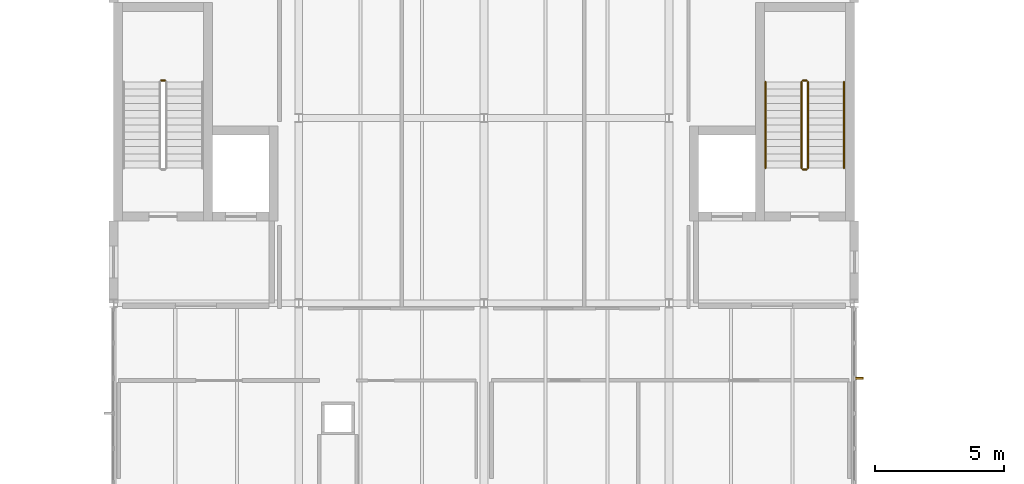
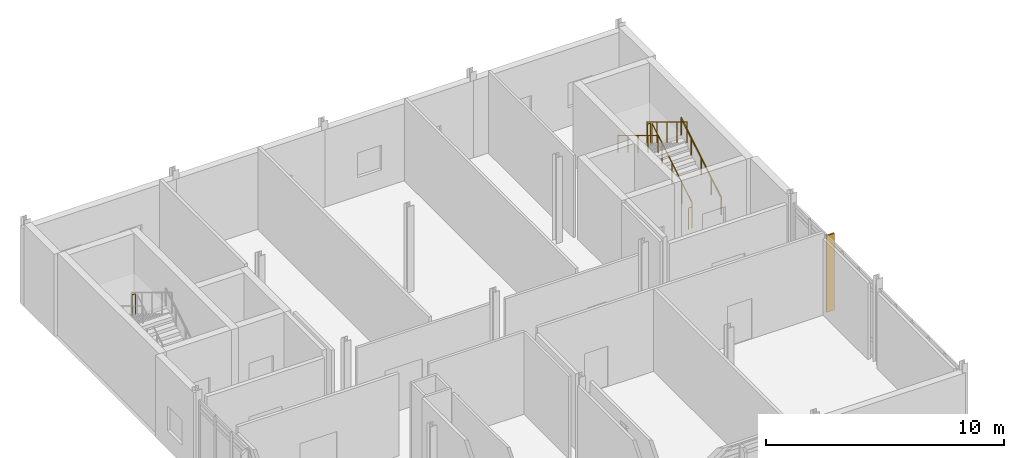
# One storey, part 43 of 43: 7 railings, 1 shading device.
"""IFC4 building model written with IfcOpenShell, lengths in metres."""

from ifc_helpers import new_model, si_unit, direction, frame, origin, origin_2d, place, context, subcontext, project, spatial, rectangle, circle, extrude, material, layer, layer_set, type_object, element, save


model = new_model("IFC4")

# Units and contexts
model_context = context("Model", 3, precision=1e-05, world=origin(), true_north=direction((0.0, 1.0)))
body_context = subcontext(model_context, "Body", "Model", "MODEL_VIEW")
ifc_project = project(units=[si_unit("LENGTHUNIT", "METRE"), si_unit("AREAUNIT", "SQUARE_METRE"), si_unit("VOLUMEUNIT", "CUBIC_METRE"), si_unit("PLANEANGLEUNIT", "RADIAN"), si_unit("MASSUNIT", "GRAM", prefix="KILO")], contexts=[model_context])

# Site, building, storey
site_placement = place(None, origin())
site = spatial("IfcSite", under=ifc_project, at=site_placement, CompositionType="ELEMENT")
building_placement = place(site_placement, origin())
building = spatial("IfcBuilding", under=site, at=building_placement, Name="Zarrinpeak Specialist Clinic", CompositionType="ELEMENT")
storey_placement = place(building_placement, frame((0.0, 0.0, 18.39990234375)))
storey = spatial("IfcBuildingStorey", under=building, at=storey_placement, Name="L04", CompositionType="ELEMENT", Elevation=18.39990234375)

# Railings
ifc_material_1 = material(Name="Laminated Safety Glass and Stainless Steel 316", Category="steel")
ifc_layer_1 = layer(ifc_material_1, 0.06005859375)
ifc_layer_set_1 = layer_set([ifc_layer_1], Name="Laminated Safety Glass and Stainless Steel 316")
railing_type_1 = type_object("IfcRailingType", Name="RL-GRD115", PredefinedType="GUARDRAIL", material=ifc_layer_set_1)
railing_1_placement = place(storey_placement, frame((38.0, 112.260009765625, 2.2001953125)))
element("IfcRailing", 1, at=railing_1_placement, inside=storey, type_object=railing_type_1, Name="L04 ST-11 stair guard 2", PredefinedType="GUARDRAIL", context=body_context, shape_type="SweptSolid", body=[
    extrude(circle(Radius=0.02392578125, at=origin_2d()), frame((0.0, 0.0, 1.076171875), z_axis=(-1.0, 0.0, 0.0), x_axis=(0.0, -1.0, 0.0)), (0.0, 0.0, 1.0), 0.14990234375),
    extrude(circle(Radius=0.02099609375, at=origin_2d()), origin(), (0.0, 0.0, 1.0), 1.052001953125),
    extrude(circle(Radius=0.02099609375, at=origin_2d()), frame((-0.14990234375, 0.0, 0.0)), (0.0, 0.0, 1.0), 1.052001953125),
])
railing_2_placement = place(storey_placement, frame((63.0, 108.85009765625, 0.16943359375)))
element("IfcRailing", 2, at=railing_2_placement, inside=storey, type_object=railing_type_1, Name="L04 ST-12 stair guard 1", PredefinedType="GUARDRAIL", context=body_context, shape_type="SweptSolid", body=[
    extrude(circle(Radius=0.02392578125, at=origin_2d()), frame((0.0, 0.0, 1.076171875), z_axis=(0.0, 0.855820338506, 0.51727318527), x_axis=(-1.0, 0.0, 0.0)), (0.0, 0.0, 1.0), 3.92578125),
    extrude(circle(Radius=0.02099609375, at=origin_2d()), origin(), (0.0, 0.0, 1.0), 1.052001953125),
    extrude(circle(Radius=0.02099609375, at=origin_2d()), frame((0.0, 0.83984375, 0.5078125)), (0.0, 0.0, 1.0), 1.052001953125),
    extrude(circle(Radius=0.02099609375, at=origin_2d()), frame((0.0, 1.679931640625, 1.015380859375)), (0.0, 0.0, 1.0), 1.052001953125),
    extrude(circle(Radius=0.02099609375, at=origin_2d()), frame((0.0, 2.52001953125, 1.52294921875)), (0.0, 0.0, 1.0), 1.052001953125),
    extrude(circle(Radius=0.02099609375, at=origin_2d()), frame((0.0, 3.35986328125, 2.03076171875)), (0.0, 0.0, 1.0), 1.052001953125),
])
railing_3_placement = place(storey_placement, frame((62.949951171875, 112.260009765625, 2.2001953125)))
element("IfcRailing", 3, at=railing_3_placement, inside=storey, type_object=railing_type_1, Name="L04 ST-12 stair guard 2", PredefinedType="GUARDRAIL", context=body_context, shape_type="SweptSolid", body=[
    extrude(circle(Radius=0.02392578125, at=origin_2d()), frame((0.0, 0.0, 1.076171875), z_axis=(-1.0, 0.0, 0.0), x_axis=(0.0, -1.0, 0.0)), (0.0, 0.0, 1.0), 0.14990234375),
    extrude(circle(Radius=0.02099609375, at=origin_2d()), origin(), (0.0, 0.0, 1.0), 1.052001953125),
    extrude(circle(Radius=0.02099609375, at=origin_2d()), frame((-0.14990234375, 0.0, 0.0)), (0.0, 0.0, 1.0), 1.052001953125),
])
railing_4_placement = place(storey_placement, frame((62.75, 112.2099609375, 2.369384765625)))
element("IfcRailing", 4, at=railing_4_placement, inside=storey, type_object=railing_type_1, Name="L04 ST-12 stair guard 3", PredefinedType="GUARDRAIL", context=body_context, shape_type="SweptSolid", body=[
    extrude(circle(Radius=0.02392578125, at=origin_2d()), frame((0.0, 0.0, 1.076171875), z_axis=(0.0, -0.855820338506, 0.51727318527), x_axis=(1.0, 0.0, 0.0)), (0.0, 0.0, 1.0), 3.92578125),
    extrude(circle(Radius=0.02099609375, at=origin_2d()), origin(), (0.0, 0.0, 1.0), 1.052001953125),
    extrude(circle(Radius=0.02099609375, at=origin_2d()), frame((0.0, -0.83984375, 0.5078125)), (0.0, 0.0, 1.0), 1.052001953125),
    extrude(circle(Radius=0.02099609375, at=origin_2d()), frame((0.0, -1.679931640625, 1.015380859375)), (0.0, 0.0, 1.0), 1.052001953125),
    extrude(circle(Radius=0.02099609375, at=origin_2d()), frame((0.0, -2.52001953125, 1.52294921875)), (0.0, 0.0, 1.0), 1.052001953125),
    extrude(circle(Radius=0.02099609375, at=origin_2d()), frame((0.0, -3.35986328125, 2.03076171875)), (0.0, 0.0, 1.0), 1.052001953125),
])
railing_5_placement = place(storey_placement, frame((62.949951171875, 108.800048828125, 0.0)))
element("IfcRailing", 5, at=railing_5_placement, inside=storey, type_object=railing_type_1, Name="L04 ST-12 stair guard 4", PredefinedType="GUARDRAIL", context=body_context, shape_type="SweptSolid", body=[
    extrude(circle(Radius=0.02392578125, at=origin_2d()), frame((0.0, 0.0, 1.076171875), z_axis=(-1.0, 0.0, 0.0), x_axis=(0.0, -1.0, 0.0)), (0.0, 0.0, 1.0), 0.14990234375),
    extrude(circle(Radius=0.02099609375, at=origin_2d()), origin(), (0.0, 0.0, 1.0), 1.052001953125),
    extrude(circle(Radius=0.02099609375, at=origin_2d()), frame((-0.14990234375, 0.0, 0.0)), (0.0, 0.0, 1.0), 1.052001953125),
])
ifc_material_2 = material(Name="Brushed Stainless Steel 316 Handrail", Category="steel")
ifc_layer_2 = layer(ifc_material_2, 0.050048828125)
ifc_layer_set_2 = layer_set([ifc_layer_2], Name="Brushed Stainless Steel 316 Handrail")
railing_type_2 = type_object("IfcRailingType", Name="RL-HND92", PredefinedType="HANDRAIL", material=ifc_layer_set_2)
railing_6_placement = place(storey_placement, frame((64.39990234375, 108.85009765625, 0.16943359375)))
element("IfcRailing", 6, at=railing_6_placement, inside=storey, type_object=railing_type_2, Name="L04 ST-12 stair handrail 1", PredefinedType="HANDRAIL", context=body_context, shape_type="SweptSolid", body=[
    extrude(circle(Radius=0.02392578125, at=origin_2d()), frame((0.0, 0.0, 0.8759765625), z_axis=(0.0, 0.855820338506, 0.51727318527), x_axis=(-1.0, 0.0, 0.0)), (0.0, 0.0, 1.0), 3.92578125),
    extrude(circle(Radius=0.02099609375, at=origin_2d()), origin(), (0.0, 0.0, 1.0), 0.851806640625),
    extrude(circle(Radius=0.02099609375, at=origin_2d()), frame((0.0, 0.83984375, 0.5078125)), (0.0, 0.0, 1.0), 0.851806640625),
    extrude(circle(Radius=0.02099609375, at=origin_2d()), frame((0.0, 1.679931640625, 1.015380859375)), (0.0, 0.0, 1.0), 0.851806640625),
    extrude(circle(Radius=0.02099609375, at=origin_2d()), frame((0.0, 2.52001953125, 1.52294921875)), (0.0, 0.0, 1.0), 0.851806640625),
    extrude(circle(Radius=0.02099609375, at=origin_2d()), frame((0.0, 3.35986328125, 2.03076171875)), (0.0, 0.0, 1.0), 0.851806640625),
])
railing_7_placement = place(storey_placement, frame((61.35009765625, 112.2099609375, 2.369384765625)))
element("IfcRailing", 7, at=railing_7_placement, inside=storey, type_object=railing_type_2, Name="L04 ST-12 stair handrail 2", PredefinedType="HANDRAIL", context=body_context, shape_type="SweptSolid", body=[
    extrude(circle(Radius=0.02392578125, at=origin_2d()), frame((0.0, 0.0, 0.8759765625), z_axis=(0.0, -0.855820338506, 0.51727318527), x_axis=(1.0, 0.0, 0.0)), (0.0, 0.0, 1.0), 3.92578125),
    extrude(circle(Radius=0.02099609375, at=origin_2d()), origin(), (0.0, 0.0, 1.0), 0.851806640625),
    extrude(circle(Radius=0.02099609375, at=origin_2d()), frame((0.0, -0.83984375, 0.5078125)), (0.0, 0.0, 1.0), 0.851806640625),
    extrude(circle(Radius=0.02099609375, at=origin_2d()), frame((0.0, -1.679931640625, 1.015380859375)), (0.0, 0.0, 1.0), 0.851806640625),
    extrude(circle(Radius=0.02099609375, at=origin_2d()), frame((0.0, -2.52001953125, 1.52294921875)), (0.0, 0.0, 1.0), 0.851806640625),
    extrude(circle(Radius=0.02099609375, at=origin_2d()), frame((0.0, -3.35986328125, 2.03076171875)), (0.0, 0.0, 1.0), 0.851806640625),
])

# Shading device
ifc_material_3 = material(Name="Anodised Bronze Aluminium", Category="aluminium")
shading_device_type = type_object("IfcShadingDeviceType", Name="SHD-FIN-BZ", PredefinedType="JALOUSIE", material=ifc_material_3)
shading_device_placement = place(storey_placement, frame((64.965087890625, 100.68310546875, -0.0146484375), z_axis=(0.0, 0.0, 1.0), x_axis=(1.0, 0.0, 0.0)))
element("IfcShadingDevice", 8, at=shading_device_placement, inside=storey, type_object=shading_device_type, Name="L04 V6 Solar Control Fin FIN-100", PredefinedType="JALOUSIE", context=body_context, shape_type="SweptSolid", body=[
    extrude(rectangle(XDim=0.3798828125, YDim=0.074951171875, at=origin_2d()), origin(), (0.0, 0.0, 1.0), 3.929931640625),
])

save(model, "model.ifc")
